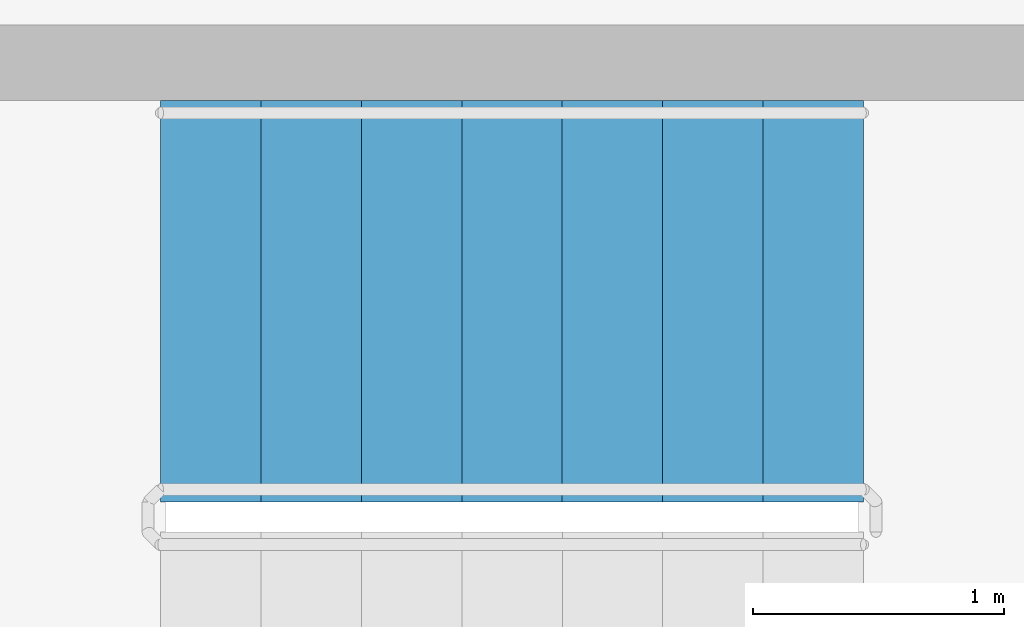
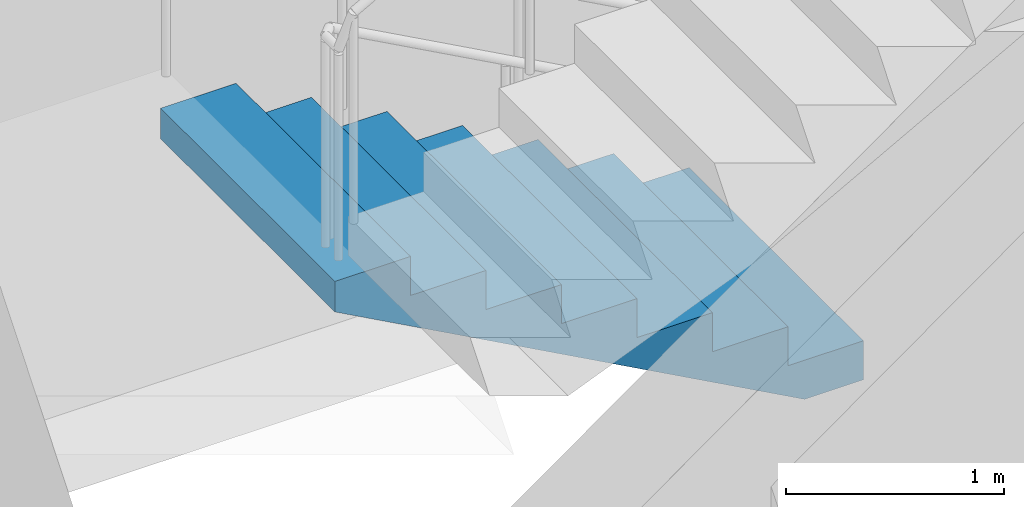
# One storey, part 15 of 18: 1 stair flight, 1 element without a shape of its own.
"""IFC4 building model written with IfcOpenShell, lengths in metres."""

from ifc_helpers import new_model, si_unit, direction, frame, origin, place, context, subcontext, project, spatial, polyline, outline, extrude, material, type_object, element, aggregate, save


model = new_model("IFC4")

# Units and contexts
model_context = context("Model", 3, precision=1e-05, world=origin(), true_north=direction((0.0, 1.0)))
body_context = subcontext(model_context, "Body", "Model", "MODEL_VIEW")
ifc_project = project(units=[si_unit("LENGTHUNIT", "METRE"), si_unit("AREAUNIT", "SQUARE_METRE"), si_unit("VOLUMEUNIT", "CUBIC_METRE"), si_unit("PLANEANGLEUNIT", "RADIAN"), si_unit("MASSUNIT", "GRAM", prefix="KILO")], contexts=[model_context])

# Site, building, storey
site_placement = place(None, origin())
site = spatial("IfcSite", under=ifc_project, at=site_placement, CompositionType="ELEMENT")
building_placement = place(site_placement, origin())
building = spatial("IfcBuilding", under=site, at=building_placement, Name="Spindle Arch Residences", CompositionType="ELEMENT")
storey_placement = place(building_placement, frame((0.0, 0.0, 298.199951171875)))
storey = spatial("IfcBuildingStorey", under=building, at=storey_placement, Name="L76", CompositionType="ELEMENT", Elevation=298.199951171875)

# Stair, stair flight
ifc_material_1 = material(Name="Concrete C50/60", Category="concrete")
stair_type = type_object("IfcStairType", Name="Exit stair 16 risers", PredefinedType="HALF_TURN_STAIR", material=ifc_material_1)
stair_placement = place(storey_placement, origin())
stair = element("IfcStair", 1, at=stair_placement, inside=storey, type_object=stair_type, Name="L76 Exit stair ST1", PredefinedType="HALF_TURN_STAIR")
ifc_material_2 = material(Name="Concrete C50/60", Category="concrete")
stair_flight_type = type_object("IfcStairFlightType", Name="Exit stair flight", PredefinedType="STRAIGHT", material=ifc_material_2)
stair_flight_placement = place(storey_placement, frame((5.14990234375, 7.8701171875, 0.0), z_axis=(0.0, 0.0, 1.0), x_axis=(-1.0, 0.0, 0.0)))
stair_flight = element("IfcStairFlight", 2, at=stair_flight_placement, type_object=stair_flight_type, Name="ST1 flight 1", NumberOfRisers=8, NumberOfTreads=7, PredefinedType="STRAIGHT", RiserHeight=0.21875, TreadLength=0.4, context=body_context, shape_type="SweptSolid", body=[
    extrude(outline(polyline([(0.0, 0.0), (0.0, 0.21875), (0.39990234375, 0.21875), (0.39990234375, 0.4375), (0.800048828125, 0.4375), (0.800048828125, 0.65625), (1.199951171875, 0.65625), (1.199951171875, 0.875), (1.60009765625, 0.875), (1.60009765625, 1.09375), (2.0, 1.09375), (2.0, 1.3125), (2.39990234375, 1.3125), (2.39990234375, 1.53125), (2.800048828125, 1.53125), (2.800048828125, 1.75), (2.800048828125, 1.3603515625), (0.3125, 0.0), (0.0, 0.0)])), frame((0.0, 0.800048828125, 0.0), z_axis=(0.0, -1.0, 0.0), x_axis=(1.0, 0.0, 0.0)), (0.0, 0.0, 1.0), 1.60009765625),
])
aggregate(stair, [stair_flight])

save(model, "model.ifc")
